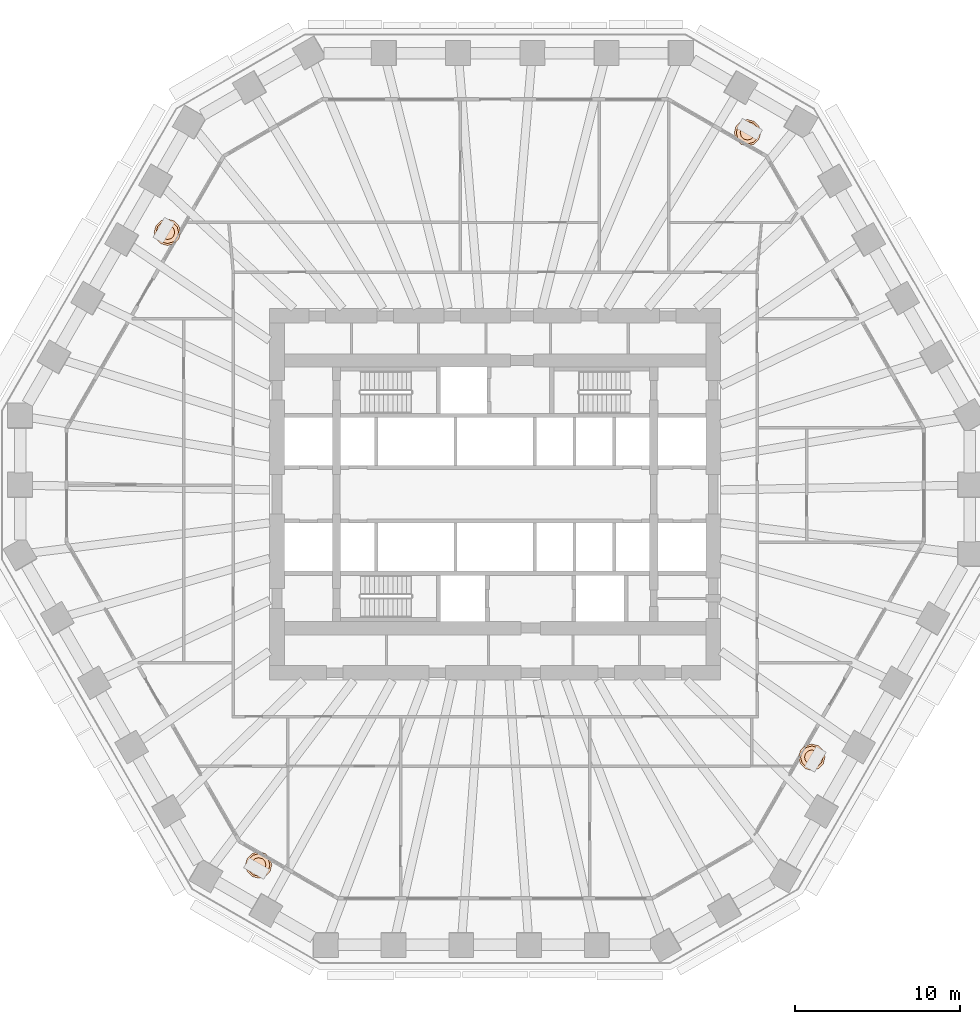
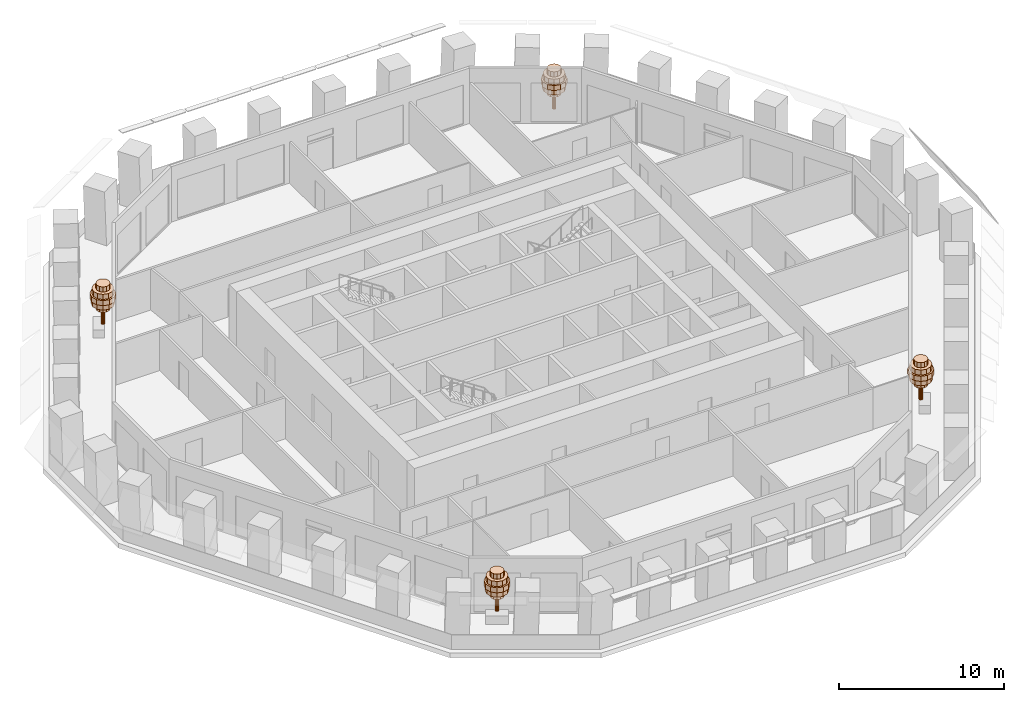
# One storey, part 13 of 13: 4 geographic elements.
"""IFC4 building model written with IfcOpenShell, lengths in metres."""

import ifcopenshell
import ifcopenshell.guid

model = None  # the IFC model being written
_history = None  # IfcOwnerHistory: only IFC2X3 demands one
_inside = {}  # id of a spatial element -> (the spatial element, [elements in it])
_under = {}  # id of a project, library or spatial element -> (it, [spatial elements below it])
_declared = {}  # id of a project -> (the project, [libraries it declares])
_typed = {}  # id of a type object -> (the type object, [elements of that type])
_made_of = {}  # id of a material, layer set ... -> (it, [elements and type objects made of it])


def new_model(schema):
    """Start an empty IFC model of exactly this schema.

    Asked for "IFC4X3", IfcOpenShell would pick the latest addendum, in which some entities
    have other attributes; the version numbers below select the first issue.
    IFC2X3 requires an IfcOwnerHistory on every rooted entity: one is made here for all.
    """
    global model, _history
    if schema == "IFC4X3":
        model = ifcopenshell.file(schema_version=(4, 3, 0, 0))
    else:
        model = ifcopenshell.file(schema=schema)
    _inside.clear()
    _under.clear()
    _declared.clear()
    _typed.clear()
    _made_of.clear()
    _history = None
    if model.schema == "IFC2X3":
        org = make("IfcOrganization", Name="unknown")
        user = make(
            "IfcPersonAndOrganization",
            ThePerson=make("IfcPerson", FamilyName="unknown"),
            TheOrganization=org,
        )
        app = make(
            "IfcApplication",
            ApplicationDeveloper=org,
            Version="unknown",
            ApplicationFullName="unknown",
            ApplicationIdentifier="unknown",
        )
        _history = make(
            "IfcOwnerHistory",
            OwningUser=user,
            OwningApplication=app,
            ChangeAction="ADDED",
            CreationDate=0,
        )
    return model


def make(cls, **values):
    """One entity of the class cls with the attributes given. An attribute that is None is left unset."""
    return model.create_entity(
        cls, **{name: value for name, value in values.items() if value is not None}
    )


def rooted(cls, **values):
    """An entity with a GlobalId (a new one), such as an element, a storey or a relation."""
    return make(cls, GlobalId=ifcopenshell.guid.new(), OwnerHistory=_history, **values)


def si_unit(unit_type, name, prefix=None):
    """IfcSIUnit, for example si_unit("LENGTHUNIT", "METRE", prefix="MILLI")."""
    return make("IfcSIUnit", UnitType=unit_type, Prefix=prefix, Name=name)


def assignment(units):
    """IfcUnitAssignment: the units of a project."""
    return None if units is None else make("IfcUnitAssignment", Units=units)


def point(xyz):
    """IfcCartesianPoint."""
    return None if xyz is None else make("IfcCartesianPoint", Coordinates=xyz)


def direction(xyz):
    """IfcDirection."""
    return None if xyz is None else make("IfcDirection", DirectionRatios=xyz)


def frame(location, z_axis=None, x_axis=None):
    """IfcAxis2Placement3D, a coordinate frame: its origin and axes. An axis left out is left unset."""
    return make(
        "IfcAxis2Placement3D",
        Location=point(location),
        Axis=direction(z_axis),
        RefDirection=direction(x_axis),
    )


def origin():
    """The frame at (0, 0, 0) with its axes left unset."""
    return frame((0.0, 0.0, 0.0))


def place(relative_to, where):
    """IfcLocalPlacement: puts the frame where relative to a parent placement (None: the world)."""
    return make(
        "IfcLocalPlacement", PlacementRelTo=relative_to, RelativePlacement=where
    )


def context(
    kind, dimensions, precision=None, world=None, true_north=None, identifier=None
):
    """IfcGeometricRepresentationContext, for example the 3D "Model" context."""
    return make(
        "IfcGeometricRepresentationContext",
        ContextIdentifier=identifier,
        ContextType=kind,
        CoordinateSpaceDimension=dimensions,
        Precision=precision,
        WorldCoordinateSystem=world,
        TrueNorth=true_north,
    )


def subcontext(parent, identifier, kind, view, scale=None):
    """IfcGeometricRepresentationSubContext, for example "Body" below "Model"."""
    return make(
        "IfcGeometricRepresentationSubContext",
        ContextIdentifier=identifier,
        ContextType=kind,
        ParentContext=parent,
        TargetScale=scale,
        TargetView=view,
    )


def project(units=None, contexts=None):
    """IfcProject with its units and contexts."""
    return rooted(
        "IfcProject",
        Name="project",
        RepresentationContexts=contexts,
        UnitsInContext=assignment(units),
    )


def spatial(cls, under=None, at=None, **own):
    """A site, building, storey or space (cls), placed at a placement, below another one or the project."""
    s = rooted(cls, ObjectPlacement=at, **own)
    if under is not None:
        _under.setdefault(under.id(), (under, []))[1].append(s)
    return s


def polyline(points):
    """IfcPolyline through the points."""
    return make("IfcPolyline", Points=[point(p) for p in points])


def outline(outer, holes=None, kind="AREA"):
    """IfcArbitraryClosedProfileDef: a profile drawn as a closed curve; with holes, ...WithVoids."""
    if holes is None:
        return make("IfcArbitraryClosedProfileDef", ProfileType=kind, OuterCurve=outer)
    return make(
        "IfcArbitraryProfileDefWithVoids",
        ProfileType=kind,
        OuterCurve=outer,
        InnerCurves=holes,
    )


def extrude(swept, where, along, depth):
    """IfcExtrudedAreaSolid: the profile swept, set in the frame where, extruded along a direction by depth."""
    return make(
        "IfcExtrudedAreaSolid",
        SweptArea=swept,
        Position=where,
        ExtrudedDirection=direction(along),
        Depth=depth,
    )


def shape(context_of_items, identifier, shape_type, items):
    """IfcShapeRepresentation: the items that make up one representation, for example the "Body"."""
    return make(
        "IfcShapeRepresentation",
        ContextOfItems=context_of_items,
        RepresentationIdentifier=identifier,
        RepresentationType=shape_type,
        Items=items,
    )


def material(Name=None, Category=None):
    """IfcMaterial."""
    return make("IfcMaterial", Name=Name, Category=Category)


def made_of(thing, what):
    """Note that an element or type object is made of a material, layer set ...; save() writes the relation."""
    if what is not None:
        _made_of.setdefault(what.id(), (what, []))[1].append(thing)
    return thing


def type_object(cls, material=None, **own):
    """A type object (cls), such as IfcWallType, which elements share."""
    return made_of(rooted(cls, **own), material)


def element(
    cls,
    number,
    at=None,
    inside=None,
    cuts=None,
    type_object=None,
    material=None,
    context=None,
    identifier="Body",
    shape_type=None,
    held_by="IfcProductDefinitionShape",
    body=None,
    shapes=None,
    **own,
):
    """One element of the class cls, such as IfcWall. Its Tag is "e" and its number.

    at: its placement. inside: the storey or other place that contains it. cuts: it is an
    opening in that element (IfcRelVoidsElement). A single representation is given by context,
    identifier, shape_type and body (its items); several are given by shapes. held_by: the class
    of the entity that holds the representations. save() writes the other relations.
    """
    e = rooted(cls, Tag="e%d" % number, ObjectPlacement=at, **own)
    if body is not None:
        shapes = [shape(context, identifier, shape_type, body)]
    if shapes is not None:
        e.Representation = make(held_by, Representations=shapes)
    if inside is not None:
        _inside.setdefault(inside.id(), (inside, []))[1].append(e)
    if cuts is not None:
        rooted(
            "IfcRelVoidsElement", RelatingBuildingElement=cuts, RelatedOpeningElement=e
        )
    if type_object is not None:
        _typed.setdefault(type_object.id(), (type_object, []))[1].append(e)
    return made_of(e, material)


def aggregate(whole, parts):
    """IfcRelAggregates: a whole, such as a stair, and the parts it consists of."""
    return rooted("IfcRelAggregates", RelatingObject=whole, RelatedObjects=parts)


def save(model, path):
    """Write the relations noted so far, then the file.

    IfcRelAggregates (storeys below a building ...), IfcRelContainedInSpatialStructure (elements
    in a storey), IfcRelDefinesByType, IfcRelAssociatesMaterial and IfcRelDeclares: one each for
    every whole, place, type object, material and project.
    """
    for whole, parts in _under.values():
        aggregate(whole, parts)
    for where, things in _inside.values():
        rooted(
            "IfcRelContainedInSpatialStructure",
            RelatedElements=things,
            RelatingStructure=where,
        )
    for kind, things in _typed.values():
        rooted("IfcRelDefinesByType", RelatedObjects=things, RelatingType=kind)
    for what, things in _made_of.values():
        rooted("IfcRelAssociatesMaterial", RelatedObjects=things, RelatingMaterial=what)
    for by, libraries in _declared.values():
        rooted("IfcRelDeclares", RelatingContext=by, RelatedDefinitions=libraries)
    model.write(path)


model = new_model("IFC4")

# Units and contexts
model_context = context("Model", 3, precision=1e-05, world=origin(), true_north=direction((0.0, 1.0)))
body_context = subcontext(model_context, "Body", "Model", "MODEL_VIEW")
ifc_project = project(units=[si_unit("LENGTHUNIT", "METRE"), si_unit("AREAUNIT", "SQUARE_METRE"), si_unit("VOLUMEUNIT", "CUBIC_METRE"), si_unit("PLANEANGLEUNIT", "RADIAN"), si_unit("MASSUNIT", "GRAM", prefix="KILO")], contexts=[model_context])

# Site, building, storey
site_placement = place(None, origin())
site = spatial("IfcSite", under=ifc_project, at=site_placement, CompositionType="ELEMENT")
building_placement = place(site_placement, origin())
building = spatial("IfcBuilding", under=site, at=building_placement, Name="Frailejon Research Tower", CompositionType="ELEMENT")
storey_placement = place(building_placement, frame((0.0, 0.0, 32.199951171875)))
storey = spatial("IfcBuildingStorey", under=building, at=storey_placement, Name="L07", CompositionType="ELEMENT", Elevation=32.199951171875)

# Geographic elements
ifc_material = material(Name="Foliage, green")
geographic_element_type = type_object("IfcGeographicElementType", Name="Frailejon tree, loggia", PredefinedType="USERDEFINED", material=ifc_material)
geographic_element_1_placement = place(storey_placement, frame((15.27001953125, 21.878173828125, 0.60009765625)))
element("IfcGeographicElement", 1, at=geographic_element_1_placement, inside=storey, type_object=geographic_element_type, Name="Tree L07", ObjectType="TREE", PredefinedType="USERDEFINED", context=body_context, shape_type="SweptSolid", body=[
    extrude(outline(polyline([(0.1298828125, 0.0), (0.112548828125, 0.06494140625), (0.06494140625, 0.112548828125), (0.0, 0.1298828125), (-0.06494140625, 0.112548828125), (-0.112548828125, 0.06494140625), (-0.1298828125, 0.0), (-0.112548828125, -0.06494140625), (-0.06494140625, -0.112548828125), (0.0, -0.1298828125), (0.06494140625, -0.112548828125), (0.112548828125, -0.06494140625), (0.1298828125, 0.0)])), origin(), (0.0, 0.0, 1.0), 2.239990234375),
    extrude(outline(polyline([(0.43994140625, 0.0), (0.381103515625, 0.219970703125), (0.219970703125, 0.381103515625), (0.0, 0.43994140625), (-0.219970703125, 0.381103515625), (-0.381103515625, 0.219970703125), (-0.43994140625, 0.0), (-0.381103515625, -0.219970703125), (-0.219970703125, -0.381103515625), (0.0, -0.43994140625), (0.219970703125, -0.381103515625), (0.381103515625, -0.219970703125), (0.43994140625, 0.0)])), frame((0.0, 0.0, 1.10009765625)), (0.0, 0.0, 1.0), 0.3798828125),
    extrude(outline(polyline([(0.719970703125, 0.0), (0.62353515625, 0.360107421875), (0.360107421875, 0.62353515625), (0.0, 0.719970703125), (-0.360107421875, 0.62353515625), (-0.62353515625, 0.360107421875), (-0.719970703125, 0.0), (-0.62353515625, -0.360107421875), (-0.360107421875, -0.62353515625), (0.0, -0.719970703125), (0.360107421875, -0.62353515625), (0.62353515625, -0.360107421875), (0.719970703125, 0.0)])), frame((0.0, 0.0, 1.47998046875)), (0.0, 0.0, 1.0), 0.3798828125),
    extrude(outline(polyline([(0.800048828125, 0.0), (0.69287109375, 0.39990234375), (0.39990234375, 0.69287109375), (0.0, 0.800048828125), (-0.39990234375, 0.69287109375), (-0.69287109375, 0.39990234375), (-0.800048828125, 0.0), (-0.69287109375, -0.39990234375), (-0.39990234375, -0.69287109375), (0.0, -0.800048828125), (0.39990234375, -0.69287109375), (0.69287109375, -0.39990234375), (0.800048828125, 0.0)])), frame((0.0, 0.0, 1.860107421875)), (0.0, 0.0, 1.0), 0.3798828125),
    extrude(outline(polyline([(0.679931640625, 0.0), (0.5888671875, 0.340087890625), (0.340087890625, 0.5888671875), (0.0, 0.679931640625), (-0.340087890625, 0.5888671875), (-0.5888671875, 0.340087890625), (-0.679931640625, 0.0), (-0.5888671875, -0.340087890625), (-0.340087890625, -0.5888671875), (0.0, -0.679931640625), (0.340087890625, -0.5888671875), (0.5888671875, -0.340087890625), (0.679931640625, 0.0)])), frame((0.0, 0.0, 2.239990234375)), (0.0, 0.0, 1.0), 0.3798828125),
    extrude(outline(polyline([(0.43994140625, 0.0), (0.381103515625, 0.219970703125), (0.219970703125, 0.381103515625), (0.0, 0.43994140625), (-0.219970703125, 0.381103515625), (-0.381103515625, 0.219970703125), (-0.43994140625, 0.0), (-0.381103515625, -0.219970703125), (-0.219970703125, -0.381103515625), (0.0, -0.43994140625), (0.219970703125, -0.381103515625), (0.381103515625, -0.219970703125), (0.43994140625, 0.0)])), frame((0.0, 0.0, 2.6201171875)), (0.0, 0.0, 1.0), 0.3798828125),
])
geographic_element_2_placement = place(storey_placement, frame((-19.83251953125, 15.855224609375, 0.60009765625)))
element("IfcGeographicElement", 2, at=geographic_element_2_placement, inside=storey, type_object=geographic_element_type, Name="Tree L07", ObjectType="TREE", PredefinedType="USERDEFINED", context=body_context, shape_type="SweptSolid", body=[
    extrude(outline(polyline([(0.1298828125, 0.0), (0.112548828125, 0.06494140625), (0.06494140625, 0.112548828125), (0.0, 0.1298828125), (-0.06494140625, 0.112548828125), (-0.112548828125, 0.06494140625), (-0.1298828125, 0.0), (-0.112548828125, -0.06494140625), (-0.06494140625, -0.112548828125), (0.0, -0.1298828125), (0.06494140625, -0.112548828125), (0.112548828125, -0.06494140625), (0.1298828125, 0.0)])), origin(), (0.0, 0.0, 1.0), 2.239990234375),
    extrude(outline(polyline([(0.43994140625, 0.0), (0.381103515625, 0.219970703125), (0.219970703125, 0.381103515625), (0.0, 0.43994140625), (-0.219970703125, 0.381103515625), (-0.381103515625, 0.219970703125), (-0.43994140625, 0.0), (-0.381103515625, -0.219970703125), (-0.219970703125, -0.381103515625), (0.0, -0.43994140625), (0.219970703125, -0.381103515625), (0.381103515625, -0.219970703125), (0.43994140625, 0.0)])), frame((0.0, 0.0, 1.10009765625)), (0.0, 0.0, 1.0), 0.3798828125),
    extrude(outline(polyline([(0.719970703125, 0.0), (0.62353515625, 0.360107421875), (0.360107421875, 0.62353515625), (0.0, 0.719970703125), (-0.360107421875, 0.62353515625), (-0.62353515625, 0.360107421875), (-0.719970703125, 0.0), (-0.62353515625, -0.360107421875), (-0.360107421875, -0.62353515625), (0.0, -0.719970703125), (0.360107421875, -0.62353515625), (0.62353515625, -0.360107421875), (0.719970703125, 0.0)])), frame((0.0, 0.0, 1.47998046875)), (0.0, 0.0, 1.0), 0.3798828125),
    extrude(outline(polyline([(0.800048828125, 0.0), (0.69287109375, 0.39990234375), (0.39990234375, 0.69287109375), (0.0, 0.800048828125), (-0.39990234375, 0.69287109375), (-0.69287109375, 0.39990234375), (-0.800048828125, 0.0), (-0.69287109375, -0.39990234375), (-0.39990234375, -0.69287109375), (0.0, -0.800048828125), (0.39990234375, -0.69287109375), (0.69287109375, -0.39990234375), (0.800048828125, 0.0)])), frame((0.0, 0.0, 1.860107421875)), (0.0, 0.0, 1.0), 0.3798828125),
    extrude(outline(polyline([(0.679931640625, 0.0), (0.5888671875, 0.340087890625), (0.340087890625, 0.5888671875), (0.0, 0.679931640625), (-0.340087890625, 0.5888671875), (-0.5888671875, 0.340087890625), (-0.679931640625, 0.0), (-0.5888671875, -0.340087890625), (-0.340087890625, -0.5888671875), (0.0, -0.679931640625), (0.340087890625, -0.5888671875), (0.5888671875, -0.340087890625), (0.679931640625, 0.0)])), frame((0.0, 0.0, 2.239990234375)), (0.0, 0.0, 1.0), 0.3798828125),
    extrude(outline(polyline([(0.43994140625, 0.0), (0.381103515625, 0.219970703125), (0.219970703125, 0.381103515625), (0.0, 0.43994140625), (-0.219970703125, 0.381103515625), (-0.381103515625, 0.219970703125), (-0.43994140625, 0.0), (-0.381103515625, -0.219970703125), (-0.219970703125, -0.381103515625), (0.0, -0.43994140625), (0.219970703125, -0.381103515625), (0.381103515625, -0.219970703125), (0.43994140625, 0.0)])), frame((0.0, 0.0, 2.6201171875)), (0.0, 0.0, 1.0), 0.3798828125),
])
geographic_element_3_placement = place(storey_placement, frame((-14.31201171875, -22.431396484375, 0.60009765625)))
element("IfcGeographicElement", 3, at=geographic_element_3_placement, inside=storey, type_object=geographic_element_type, Name="Tree L07", ObjectType="TREE", PredefinedType="USERDEFINED", context=body_context, shape_type="SweptSolid", body=[
    extrude(outline(polyline([(0.1298828125, 0.0), (0.112548828125, 0.06494140625), (0.06494140625, 0.112548828125), (0.0, 0.1298828125), (-0.06494140625, 0.112548828125), (-0.112548828125, 0.06494140625), (-0.1298828125, 0.0), (-0.112548828125, -0.06494140625), (-0.06494140625, -0.112548828125), (0.0, -0.1298828125), (0.06494140625, -0.112548828125), (0.112548828125, -0.06494140625), (0.1298828125, 0.0)])), origin(), (0.0, 0.0, 1.0), 2.239990234375),
    extrude(outline(polyline([(0.43994140625, 0.0), (0.381103515625, 0.219970703125), (0.219970703125, 0.381103515625), (0.0, 0.43994140625), (-0.219970703125, 0.381103515625), (-0.381103515625, 0.219970703125), (-0.43994140625, 0.0), (-0.381103515625, -0.219970703125), (-0.219970703125, -0.381103515625), (0.0, -0.43994140625), (0.219970703125, -0.381103515625), (0.381103515625, -0.219970703125), (0.43994140625, 0.0)])), frame((0.0, 0.0, 1.10009765625)), (0.0, 0.0, 1.0), 0.3798828125),
    extrude(outline(polyline([(0.719970703125, 0.0), (0.62353515625, 0.360107421875), (0.360107421875, 0.62353515625), (0.0, 0.719970703125), (-0.360107421875, 0.62353515625), (-0.62353515625, 0.360107421875), (-0.719970703125, 0.0), (-0.62353515625, -0.360107421875), (-0.360107421875, -0.62353515625), (0.0, -0.719970703125), (0.360107421875, -0.62353515625), (0.62353515625, -0.360107421875), (0.719970703125, 0.0)])), frame((0.0, 0.0, 1.47998046875)), (0.0, 0.0, 1.0), 0.3798828125),
    extrude(outline(polyline([(0.800048828125, 0.0), (0.69287109375, 0.39990234375), (0.39990234375, 0.69287109375), (0.0, 0.800048828125), (-0.39990234375, 0.69287109375), (-0.69287109375, 0.39990234375), (-0.800048828125, 0.0), (-0.69287109375, -0.39990234375), (-0.39990234375, -0.69287109375), (0.0, -0.800048828125), (0.39990234375, -0.69287109375), (0.69287109375, -0.39990234375), (0.800048828125, 0.0)])), frame((0.0, 0.0, 1.860107421875)), (0.0, 0.0, 1.0), 0.3798828125),
    extrude(outline(polyline([(0.679931640625, 0.0), (0.5888671875, 0.340087890625), (0.340087890625, 0.5888671875), (0.0, 0.679931640625), (-0.340087890625, 0.5888671875), (-0.5888671875, 0.340087890625), (-0.679931640625, 0.0), (-0.5888671875, -0.340087890625), (-0.340087890625, -0.5888671875), (0.0, -0.679931640625), (0.340087890625, -0.5888671875), (0.5888671875, -0.340087890625), (0.679931640625, 0.0)])), frame((0.0, 0.0, 2.239990234375)), (0.0, 0.0, 1.0), 0.3798828125),
    extrude(outline(polyline([(0.43994140625, 0.0), (0.381103515625, 0.219970703125), (0.219970703125, 0.381103515625), (0.0, 0.43994140625), (-0.219970703125, 0.381103515625), (-0.381103515625, 0.219970703125), (-0.43994140625, 0.0), (-0.381103515625, -0.219970703125), (-0.219970703125, -0.381103515625), (0.0, -0.43994140625), (0.219970703125, -0.381103515625), (0.381103515625, -0.219970703125), (0.43994140625, 0.0)])), frame((0.0, 0.0, 2.6201171875)), (0.0, 0.0, 1.0), 0.3798828125),
])
geographic_element_4_placement = place(storey_placement, frame((19.161865234375, -15.91064453125, 0.60009765625)))
element("IfcGeographicElement", 4, at=geographic_element_4_placement, inside=storey, type_object=geographic_element_type, Name="Tree L07", ObjectType="TREE", PredefinedType="USERDEFINED", context=body_context, shape_type="SweptSolid", body=[
    extrude(outline(polyline([(0.1298828125, 0.0), (0.112548828125, 0.06494140625), (0.06494140625, 0.112548828125), (0.0, 0.1298828125), (-0.06494140625, 0.112548828125), (-0.112548828125, 0.06494140625), (-0.1298828125, 0.0), (-0.112548828125, -0.06494140625), (-0.06494140625, -0.112548828125), (0.0, -0.1298828125), (0.06494140625, -0.112548828125), (0.112548828125, -0.06494140625), (0.1298828125, 0.0)])), origin(), (0.0, 0.0, 1.0), 2.239990234375),
    extrude(outline(polyline([(0.43994140625, 0.0), (0.381103515625, 0.219970703125), (0.219970703125, 0.381103515625), (0.0, 0.43994140625), (-0.219970703125, 0.381103515625), (-0.381103515625, 0.219970703125), (-0.43994140625, 0.0), (-0.381103515625, -0.219970703125), (-0.219970703125, -0.381103515625), (0.0, -0.43994140625), (0.219970703125, -0.381103515625), (0.381103515625, -0.219970703125), (0.43994140625, 0.0)])), frame((0.0, 0.0, 1.10009765625)), (0.0, 0.0, 1.0), 0.3798828125),
    extrude(outline(polyline([(0.719970703125, 0.0), (0.62353515625, 0.360107421875), (0.360107421875, 0.62353515625), (0.0, 0.719970703125), (-0.360107421875, 0.62353515625), (-0.62353515625, 0.360107421875), (-0.719970703125, 0.0), (-0.62353515625, -0.360107421875), (-0.360107421875, -0.62353515625), (0.0, -0.719970703125), (0.360107421875, -0.62353515625), (0.62353515625, -0.360107421875), (0.719970703125, 0.0)])), frame((0.0, 0.0, 1.47998046875)), (0.0, 0.0, 1.0), 0.3798828125),
    extrude(outline(polyline([(0.800048828125, 0.0), (0.69287109375, 0.39990234375), (0.39990234375, 0.69287109375), (0.0, 0.800048828125), (-0.39990234375, 0.69287109375), (-0.69287109375, 0.39990234375), (-0.800048828125, 0.0), (-0.69287109375, -0.39990234375), (-0.39990234375, -0.69287109375), (0.0, -0.800048828125), (0.39990234375, -0.69287109375), (0.69287109375, -0.39990234375), (0.800048828125, 0.0)])), frame((0.0, 0.0, 1.860107421875)), (0.0, 0.0, 1.0), 0.3798828125),
    extrude(outline(polyline([(0.679931640625, 0.0), (0.5888671875, 0.340087890625), (0.340087890625, 0.5888671875), (0.0, 0.679931640625), (-0.340087890625, 0.5888671875), (-0.5888671875, 0.340087890625), (-0.679931640625, 0.0), (-0.5888671875, -0.340087890625), (-0.340087890625, -0.5888671875), (0.0, -0.679931640625), (0.340087890625, -0.5888671875), (0.5888671875, -0.340087890625), (0.679931640625, 0.0)])), frame((0.0, 0.0, 2.239990234375)), (0.0, 0.0, 1.0), 0.3798828125),
    extrude(outline(polyline([(0.43994140625, 0.0), (0.381103515625, 0.219970703125), (0.219970703125, 0.381103515625), (0.0, 0.43994140625), (-0.219970703125, 0.381103515625), (-0.381103515625, 0.219970703125), (-0.43994140625, 0.0), (-0.381103515625, -0.219970703125), (-0.219970703125, -0.381103515625), (0.0, -0.43994140625), (0.219970703125, -0.381103515625), (0.381103515625, -0.219970703125), (0.43994140625, 0.0)])), frame((0.0, 0.0, 2.6201171875)), (0.0, 0.0, 1.0), 0.3798828125),
])

save(model, "model.ifc")
